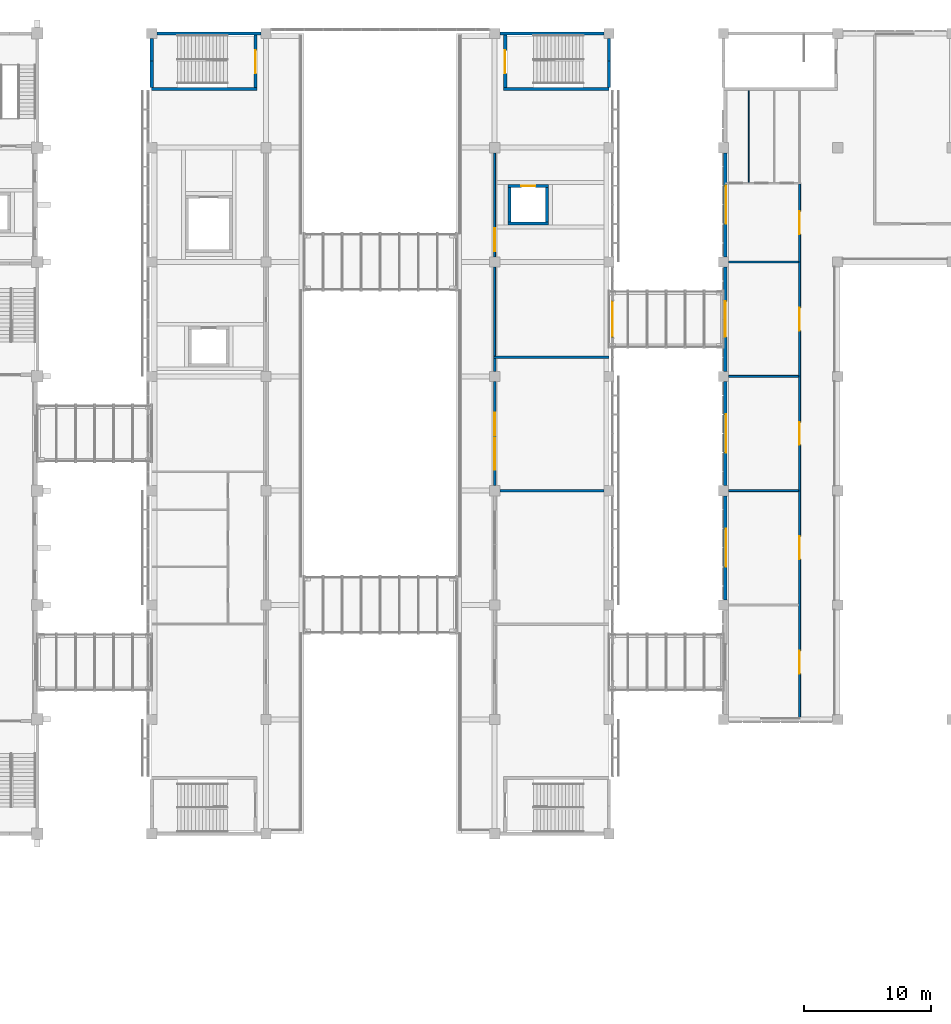
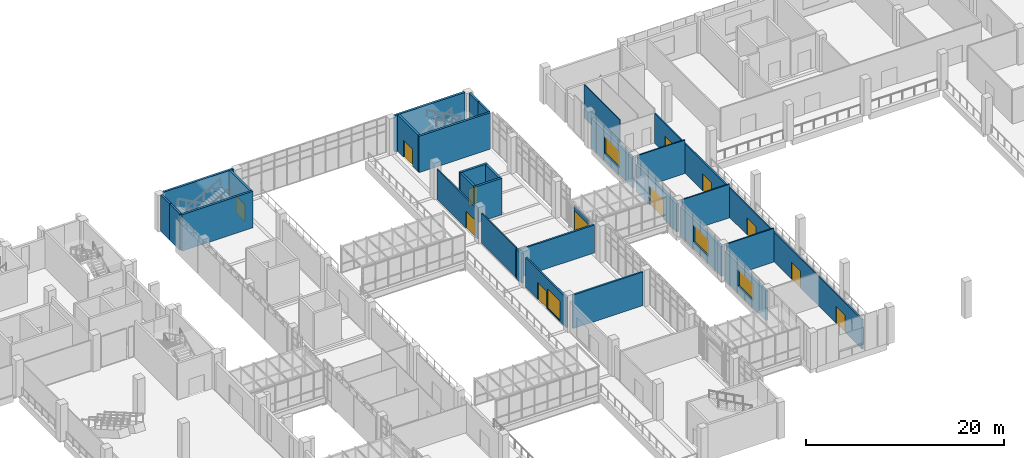
# One storey, part 62 of 88: 30 walls, 12 doors, 4 windows, 16 openings.
"""IFC4 building model written with IfcOpenShell, lengths in metres."""

from ifc_helpers import new_model, si_unit, direction, frame, frame_2d, origin, place, context, subcontext, project, spatial, rectangle, extrude, material, layer, layer_set, type_object, element, fill, save


model = new_model("IFC4")

# Units and contexts
model_context = context("Model", 3, precision=1e-05, world=origin(), true_north=direction((0.0, 1.0)))
body_context = subcontext(model_context, "Body", "Model", "MODEL_VIEW")
ifc_project = project(units=[si_unit("LENGTHUNIT", "METRE"), si_unit("AREAUNIT", "SQUARE_METRE"), si_unit("VOLUMEUNIT", "CUBIC_METRE"), si_unit("PLANEANGLEUNIT", "RADIAN"), si_unit("MASSUNIT", "GRAM", prefix="KILO")], contexts=[model_context])

# Site, building, storey
site_placement = place(None, origin())
site = spatial("IfcSite", under=ifc_project, at=site_placement, CompositionType="ELEMENT")
building_placement = place(site_placement, origin())
building = spatial("IfcBuilding", under=site, at=building_placement, Name="Guidao Yard Department Store", CompositionType="ELEMENT")
storey_placement = place(building_placement, frame((0.0, 0.0, 6.0)))
storey = spatial("IfcBuildingStorey", under=building, at=storey_placement, Name="L01", CompositionType="ELEMENT", Elevation=6.0)

# Wall
ifc_material_1 = material(Name="Moisture-resistant board on Steel Q235 studs", Category="steel")
ifc_layer_1 = layer(ifc_material_1, 0.080078125)
ifc_layer_set_1 = layer_set([ifc_layer_1], Name="Cubicle Partition F6 80 mm moisture-resistant board")
wall_type_1 = type_object("IfcWallType", Name="Cubicle Partition F6 80 mm moisture-resistant board", PredefinedType="PARTITIONING", material=ifc_layer_set_1)
wall_1_placement = place(storey_placement, frame((119.0, 96.239990234375, 0.0), z_axis=(0.0, 0.0, 1.0), x_axis=(0.0, 1.0, 0.0)))
element("IfcWall", 1, at=wall_1_placement, inside=storey, type_object=wall_type_1, Name="Wall W-L01-3026", PredefinedType="PARTITIONING", context=body_context, shape_type="SweptSolid", body=[
    extrude(rectangle(XDim=7.260009765625, YDim=0.080078125, at=frame_2d((3.6298828125, 0.0))), origin(), (0.0, 0.0, 1.0), 4.14990234375),
])

# Wall, opening, window
ifc_material_2 = material(Name="Concrete C30", Category="concrete")
ifc_layer_2 = layer(ifc_material_2, 0.300048828125)
ifc_layer_set_2 = layer_set([ifc_layer_2], Name="Food hall wall 300 C30")
wall_type_2 = type_object("IfcWallType", Name="Food hall wall 300 C30", PredefinedType="SOLIDWALL", material=ifc_layer_set_2)
wall_2_placement = place(storey_placement, frame((117.14990234375, 63.39990234375, 0.0), z_axis=(0.0, 0.0, 1.0), x_axis=(0.0, 1.0, 0.0)))
wall_2 = element("IfcWall", 2, at=wall_2_placement, inside=storey, type_object=wall_type_2, Name="Food hall wall", PredefinedType="SOLIDWALL", context=body_context, shape_type="SweptSolid", body=[
    extrude(rectangle(XDim=8.2001953125, YDim=0.300048828125, at=frame_2d((4.10009765625, 0.0))), origin(), (0.0, 0.0, 1.0), 3.64990234375),
])
opening_1_placement = place(wall_2_placement, frame((2.60009765625, 0.0, 0.89990234375)))
opening_1 = element("IfcOpeningElement", 3, at=opening_1_placement, cuts=wall_2, Name="Opening WN-L01-E25", PredefinedType="OPENING", context=body_context, shape_type="SweptSolid", body=[
    extrude(rectangle(XDim=3.0, YDim=2.10009765625, at=frame_2d((1.5, 1.050048828125))), frame((0.0, 0.159912109375, 0.0), z_axis=(0.0, -1.0, 0.0), x_axis=(1.0, 0.0, 0.0)), (0.0, 0.0, 1.0), 0.320068359375),
])
ifc_material_3 = material(Name="Laminated glass in aluminium frame", Category="aluminium")
window_type_1 = type_object("IfcWindowType", Name="Punched window PW2 3000 x 2100 fixed", PartitioningType="SINGLE_PANEL", PredefinedType="WINDOW", material=ifc_material_3)
window_1_placement = place(opening_1_placement, origin())
window_1 = element("IfcWindow", 4, at=window_1_placement, inside=storey, type_object=window_type_1, Name="Punched window", OverallHeight=2.10009765625, OverallWidth=3.0, PartitioningType="SINGLE_PANEL", PredefinedType="WINDOW", context=body_context, shape_type="SweptSolid", body=[
    extrude(rectangle(XDim=3.0, YDim=2.10009765625, at=frame_2d((1.5, 1.050048828125))), frame((0.0, -0.030029296875, 0.0), z_axis=(0.0, -1.0, 0.0), x_axis=(1.0, 0.0, 0.0)), (0.0, 0.0, 1.0), 0.06005859375),
])
fill(opening_1, window_1)

wall_3_placement = place(storey_placement, frame((117.14990234375, 72.39990234375, 0.0), z_axis=(0.0, 0.0, 1.0), x_axis=(0.0, 1.0, 0.0)))
wall_3 = element("IfcWall", 5, at=wall_3_placement, inside=storey, type_object=wall_type_2, Name="Food hall wall", PredefinedType="SOLIDWALL", context=body_context, shape_type="SweptSolid", body=[
    extrude(rectangle(XDim=8.2001953125, YDim=0.300048828125, at=frame_2d((4.10009765625, 0.0))), origin(), (0.0, 0.0, 1.0), 3.64990234375),
])
opening_2_placement = place(wall_3_placement, frame((2.60009765625, 0.0, 0.89990234375)))
opening_2 = element("IfcOpeningElement", 6, at=opening_2_placement, cuts=wall_3, Name="Opening WN-L01-E26", PredefinedType="OPENING", context=body_context, shape_type="SweptSolid", body=[
    extrude(rectangle(XDim=3.0, YDim=2.10009765625, at=frame_2d((1.5, 1.050048828125))), frame((0.0, 0.159912109375, 0.0), z_axis=(0.0, -1.0, 0.0), x_axis=(1.0, 0.0, 0.0)), (0.0, 0.0, 1.0), 0.320068359375),
])
window_2_placement = place(opening_2_placement, origin())
window_2 = element("IfcWindow", 7, at=window_2_placement, inside=storey, type_object=window_type_1, Name="Punched window", OverallHeight=2.10009765625, OverallWidth=3.0, PartitioningType="SINGLE_PANEL", PredefinedType="WINDOW", context=body_context, shape_type="SweptSolid", body=[
    extrude(rectangle(XDim=3.0, YDim=2.10009765625, at=frame_2d((1.5, 1.050048828125))), frame((0.0, -0.030029296875, 0.0), z_axis=(0.0, -1.0, 0.0), x_axis=(1.0, 0.0, 0.0)), (0.0, 0.0, 1.0), 0.06005859375),
])
fill(opening_2, window_2)

# Wall, opening, door
wall_4_placement = place(storey_placement, frame((117.14990234375, 81.39990234375, 0.0), z_axis=(0.0, 0.0, 1.0), x_axis=(0.0, 1.0, 0.0)))
wall_4 = element("IfcWall", 8, at=wall_4_placement, inside=storey, type_object=wall_type_2, Name="Food hall wall", PredefinedType="SOLIDWALL", context=body_context, shape_type="SweptSolid", body=[
    extrude(rectangle(XDim=8.2001953125, YDim=0.300048828125, at=frame_2d((4.10009765625, 0.0))), origin(), (0.0, 0.0, 1.0), 3.449951171875),
])
opening_3_placement = place(wall_4_placement, frame((2.699951171875, 0.0, 0.0)))
opening_3 = element("IfcOpeningElement", 9, at=opening_3_placement, cuts=wall_4, Name="Opening L01-857", PredefinedType="OPENING", context=body_context, shape_type="SweptSolid", body=[
    extrude(rectangle(XDim=2.800048828125, YDim=2.39990234375, at=frame_2d((1.39990234375, 1.199951171875))), frame((0.0, 0.159912109375, 0.0), z_axis=(0.0, -1.0, 0.0), x_axis=(1.0, 0.0, 0.0)), (0.0, 0.0, 1.0), 0.320068359375),
])
ifc_material_4 = material(Name="Fire-resistant glass in steel frame", Category="steel")
door_type_1 = type_object("IfcDoorType", Name="Bridge door BD1 2800 x 2400 fire-rated glazed double leaf", OperationType="DOUBLE_DOOR_SINGLE_SWING", PredefinedType="DOOR", material=ifc_material_4)
door_1_placement = place(opening_3_placement, origin())
door_1 = element("IfcDoor", 10, at=door_1_placement, inside=storey, type_object=door_type_1, Name="Bridge door BR07", OperationType="DOUBLE_DOOR_SINGLE_SWING", OverallHeight=2.39990234375, OverallWidth=2.800048828125, PredefinedType="DOOR", context=body_context, shape_type="SweptSolid", body=[
    extrude(rectangle(XDim=2.800048828125, YDim=2.39990234375, at=frame_2d((1.39990234375, 1.199951171875))), frame((0.0, 0.02490234375, 0.0), z_axis=(0.0, -1.0, 0.0), x_axis=(1.0, 0.0, 0.0)), (0.0, 0.0, 1.0), 0.050048828125),
])
fill(opening_3, door_1)

# Wall, opening, window
wall_5_placement = place(storey_placement, frame((117.14990234375, 90.39990234375, 0.0), z_axis=(0.0, 0.0, 1.0), x_axis=(0.0, 1.0, 0.0)))
wall_5 = element("IfcWall", 11, at=wall_5_placement, inside=storey, type_object=wall_type_2, Name="Food hall wall", PredefinedType="SOLIDWALL", context=body_context, shape_type="SweptSolid", body=[
    extrude(rectangle(XDim=8.2001953125, YDim=0.300048828125, at=frame_2d((4.10009765625, 0.0))), origin(), (0.0, 0.0, 1.0), 3.64990234375),
])
opening_4_placement = place(wall_5_placement, frame((2.60009765625, 0.0, 0.89990234375)))
opening_4 = element("IfcOpeningElement", 12, at=opening_4_placement, cuts=wall_5, Name="Opening WN-L01-E27", PredefinedType="OPENING", context=body_context, shape_type="SweptSolid", body=[
    extrude(rectangle(XDim=3.0, YDim=2.10009765625, at=frame_2d((1.5, 1.050048828125))), frame((0.0, 0.159912109375, 0.0), z_axis=(0.0, -1.0, 0.0), x_axis=(1.0, 0.0, 0.0)), (0.0, 0.0, 1.0), 0.320068359375),
])
window_3_placement = place(opening_4_placement, origin())
window_3 = element("IfcWindow", 13, at=window_3_placement, inside=storey, type_object=window_type_1, Name="Punched window", OverallHeight=2.10009765625, OverallWidth=3.0, PartitioningType="SINGLE_PANEL", PredefinedType="WINDOW", context=body_context, shape_type="SweptSolid", body=[
    extrude(rectangle(XDim=3.0, YDim=2.10009765625, at=frame_2d((1.5, 1.050048828125))), frame((0.0, -0.030029296875, 0.0), z_axis=(0.0, -1.0, 0.0), x_axis=(1.0, 0.0, 0.0)), (0.0, 0.0, 1.0), 0.06005859375),
])
fill(opening_4, window_3)

# Wall, opening, door
ifc_material_5 = material(Name="Aluminium 6063-T5", Category="aluminium")
ifc_layer_3 = layer(ifc_material_5, 0.1201171875)
ifc_layer_set_3 = layer_set([ifc_layer_3], Name="Glazing frame wall 120")
wall_type_3 = type_object("IfcWallType", Name="Glazing frame wall 120", PredefinedType="STANDARD", material=ifc_layer_set_3)
wall_6_placement = place(storey_placement, frame((108.280029296875, 86.969970703125, 0.0), z_axis=(0.0, 0.0, 1.0), x_axis=(0.0, -1.0, 0.0)))
wall_6 = element("IfcWall", 14, at=wall_6_placement, inside=storey, type_object=wall_type_3, Name="Frame wall for Bridge door BR07", PredefinedType="STANDARD", context=body_context, shape_type="SweptSolid", body=[
    extrude(rectangle(XDim=2.93994140625, YDim=0.1201171875, at=frame_2d((1.469970703125, 0.0))), origin(), (0.0, 0.0, 1.0), 2.969970703125),
])
opening_5_placement = place(wall_6_placement, frame((0.070068359375, 0.0, 0.0)))
opening_5 = element("IfcOpeningElement", 15, at=opening_5_placement, cuts=wall_6, Name="Opening L01-855", PredefinedType="OPENING", context=body_context, shape_type="SweptSolid", body=[
    extrude(rectangle(XDim=2.800048828125, YDim=2.39990234375, at=frame_2d((1.39990234375, 1.199951171875))), frame((0.0, 0.070068359375, 0.0), z_axis=(0.0, -1.0, 0.0), x_axis=(1.0, 0.0, 0.0)), (0.0, 0.0, 1.0), 0.14013671875),
])
door_2_placement = place(opening_5_placement, origin())
door_2 = element("IfcDoor", 16, at=door_2_placement, inside=storey, type_object=door_type_1, Name="Bridge door BR07", OperationType="DOUBLE_DOOR_SINGLE_SWING", OverallHeight=2.39990234375, OverallWidth=2.800048828125, PredefinedType="DOOR", context=body_context, shape_type="SweptSolid", body=[
    extrude(rectangle(XDim=2.800048828125, YDim=2.39990234375, at=frame_2d((1.39990234375, 1.199951171875))), frame((0.0, 0.02490234375, 0.0), z_axis=(0.0, -1.0, 0.0), x_axis=(1.0, 0.0, 0.0)), (0.0, 0.0, 1.0), 0.050048828125),
])
fill(opening_5, door_2)

# Wall
ifc_material_6 = material(Name="Concrete block MU10", Category="concrete")
ifc_layer_4 = layer(ifc_material_6, 0.199951171875)
ifc_layer_set_4 = layer_set([ifc_layer_4], Name="Shopfront Wall P4 200 mm blockwork EI 60")
wall_type_4 = type_object("IfcWallType", Name="Shopfront Wall P4 200 mm blockwork EI 60", PredefinedType="PARTITIONING", material=ifc_layer_set_4)
wall_7_placement = place(storey_placement, frame((99.39990234375, 72.0, 0.0), z_axis=(0.0, 0.0, 1.0), x_axis=(1.0, 0.0, 0.0)))
element("IfcWall", 17, at=wall_7_placement, inside=storey, type_object=wall_type_4, Name="Wall W-AL01-012", PredefinedType="PARTITIONING", context=body_context, shape_type="SweptSolid", body=[
    extrude(rectangle(XDim=8.2001953125, YDim=0.199951171875, at=frame_2d((4.10009765625, 0.0))), origin(), (0.0, 0.0, 1.0), 4.14990234375),
])

# Wall, openings, door, window
wall_8_placement = place(storey_placement, frame((99.0, 72.39990234375, 0.0), z_axis=(0.0, 0.0, 1.0), x_axis=(0.0, 1.0, 0.0)))
wall_8 = element("IfcWall", 18, at=wall_8_placement, inside=storey, type_object=wall_type_4, Name="Wall W-AL01-014", PredefinedType="PARTITIONING", context=body_context, shape_type="SweptSolid", body=[
    extrude(rectangle(XDim=8.2001953125, YDim=0.199951171875, at=frame_2d((4.10009765625, 0.0))), origin(), (0.0, 0.0, 1.0), 3.699951171875),
])
opening_6_placement = place(wall_8_placement, frame((5.75, 0.0, 0.0), z_axis=(0.0, 0.0, 1.0), x_axis=(-1.0, 0.0, 0.0)))
opening_6 = element("IfcOpeningElement", 19, at=opening_6_placement, cuts=wall_8, Name="Opening AL01-008", PredefinedType="OPENING", context=body_context, shape_type="SweptSolid", body=[
    extrude(rectangle(XDim=1.800048828125, YDim=2.10009765625, at=frame_2d((0.89990234375, 1.050048828125))), frame((0.0, 0.10986328125, 0.0), z_axis=(0.0, -1.0, 0.0), x_axis=(1.0, 0.0, 0.0)), (0.0, 0.0, 1.0), 0.219970703125),
])
opening_7_placement = place(wall_8_placement, frame((1.25, 0.0, 0.14990234375)))
opening_7 = element("IfcOpeningElement", 20, at=opening_7_placement, cuts=wall_8, Name="Opening WN-AL01-302", PredefinedType="OPENING", context=body_context, shape_type="SweptSolid", body=[
    extrude(rectangle(XDim=2.5, YDim=2.39990234375, at=frame_2d((1.25, 1.199951171875))), frame((0.0, 0.10986328125, 0.0), z_axis=(0.0, -1.0, 0.0), x_axis=(1.0, 0.0, 0.0)), (0.0, 0.0, 1.0), 0.219970703125),
])
ifc_material_7 = material(Name="Steel Q235", Category="steel")
door_type_2 = type_object("IfcDoorType", Name="Door FD5 double 1800 x 2100 FD60", OperationType="DOUBLE_DOOR_SINGLE_SWING", PredefinedType="DOOR", material=ifc_material_7)
door_3_placement = place(opening_6_placement, origin())
door_3 = element("IfcDoor", 21, at=door_3_placement, inside=storey, type_object=door_type_2, Name="Door AL01-008", OperationType="DOUBLE_DOOR_SINGLE_SWING", OverallHeight=2.10009765625, OverallWidth=1.800048828125, PredefinedType="DOOR", context=body_context, shape_type="SweptSolid", body=[
    extrude(rectangle(XDim=1.800048828125, YDim=2.10009765625, at=frame_2d((0.89990234375, 1.050048828125))), frame((0.0, 0.02490234375, 0.0), z_axis=(0.0, -1.0, 0.0), x_axis=(1.0, 0.0, 0.0)), (0.0, 0.0, 1.0), 0.050048828125),
])
fill(opening_6, door_3)
ifc_material_8 = material(Name="Fire-rated glazing in Steel Q235 frame", Category="steel")
window_type_2 = type_object("IfcWindowType", Name="Window WN1 fire-glazed shop panel 2500 x 2400 EI 60", PartitioningType="SINGLE_PANEL", PredefinedType="WINDOW", material=ifc_material_8)
window_4_placement = place(opening_7_placement, origin())
window_4 = element("IfcWindow", 22, at=window_4_placement, inside=storey, type_object=window_type_2, Name="Window WN-AL01-302", OverallHeight=2.39990234375, OverallWidth=2.5, PartitioningType="SINGLE_PANEL", PredefinedType="WINDOW", context=body_context, shape_type="SweptSolid", body=[
    extrude(rectangle(XDim=2.5, YDim=2.39990234375, at=frame_2d((1.25, 1.199951171875))), frame((0.0, 0.030029296875, 0.0), z_axis=(0.0, -1.0, 0.0), x_axis=(1.0, 0.0, 0.0)), (0.0, 0.0, 1.0), 0.06005859375),
])
fill(opening_7, window_4)

# Walls
wall_9_placement = place(storey_placement, frame((99.0, 81.39990234375, 0.0), z_axis=(0.0, 0.0, 1.0), x_axis=(0.0, 1.0, 0.0)))
element("IfcWall", 23, at=wall_9_placement, inside=storey, type_object=wall_type_4, Name="Wall W-AL01-018", PredefinedType="PARTITIONING", context=body_context, shape_type="SweptSolid", body=[
    extrude(rectangle(XDim=1.0, YDim=0.199951171875, at=frame_2d((0.5, 0.0))), origin(), (0.0, 0.0, 1.0), 3.699951171875),
])
wall_10_placement = place(storey_placement, frame((98.89990234375, 82.5, 0.0), z_axis=(0.0, 0.0, 1.0), x_axis=(1.0, 0.0, 0.0)))
element("IfcWall", 24, at=wall_10_placement, inside=storey, type_object=wall_type_4, Name="Wall W-AL01-019", PredefinedType="PARTITIONING", context=body_context, shape_type="SweptSolid", body=[
    extrude(rectangle(XDim=9.10009765625, YDim=0.199951171875, at=frame_2d((4.550048828125, 0.0))), origin(), (0.0, 0.0, 1.0), 3.449951171875),
])

# Wall, openings, doors
ifc_material_9 = material(Name="Concrete block MU10", Category="concrete")
ifc_layer_5 = layer(ifc_material_9, 0.14990234375)
ifc_layer_set_5 = layer_set([ifc_layer_5], Name="Stall Front Wall F4 150 mm blockwork EI 60")
wall_type_5 = type_object("IfcWallType", Name="Stall Front Wall F4 150 mm blockwork EI 60", PredefinedType="PARTITIONING", material=ifc_layer_set_5)
wall_11_placement = place(storey_placement, frame((123.0, 54.14990234375, 0.0), z_axis=(0.0, 0.0, 1.0), x_axis=(0.0, 1.0, 0.0)))
wall_11 = element("IfcWall", 25, at=wall_11_placement, inside=storey, type_object=wall_type_5, Name="Wall W-L01-3001", PredefinedType="PARTITIONING", context=body_context, shape_type="SweptSolid", body=[
    extrude(rectangle(XDim=42.010009765625, YDim=0.14990234375, at=frame_2d((21.0048828125, 0.0))), origin(), (0.0, 0.0, 1.0), 3.64990234375),
])
opening_8_placement = place(wall_11_placement, frame((3.449951171875, 0.0, 0.0)))
opening_8 = element("IfcOpeningElement", 26, at=opening_8_placement, cuts=wall_11, Name="Opening L01-301", PredefinedType="OPENING", context=body_context, shape_type="SweptSolid", body=[
    extrude(rectangle(XDim=1.800048828125, YDim=2.10009765625, at=frame_2d((0.89990234375, 1.050048828125))), frame((0.0, 0.0849609375, 0.0), z_axis=(0.0, -1.0, 0.0), x_axis=(1.0, 0.0, 0.0)), (0.0, 0.0, 1.0), 0.169921875),
])
opening_9_placement = place(wall_11_placement, frame((12.449951171875, 0.0, 0.0)))
opening_9 = element("IfcOpeningElement", 27, at=opening_9_placement, cuts=wall_11, Name="Opening L01-303", PredefinedType="OPENING", context=body_context, shape_type="SweptSolid", body=[
    extrude(rectangle(XDim=1.800048828125, YDim=2.10009765625, at=frame_2d((0.89990234375, 1.050048828125))), frame((0.0, 0.0849609375, 0.0), z_axis=(0.0, -1.0, 0.0), x_axis=(1.0, 0.0, 0.0)), (0.0, 0.0, 1.0), 0.169921875),
])
opening_10_placement = place(wall_11_placement, frame((21.449951171875, 0.0, 0.0)))
opening_10 = element("IfcOpeningElement", 28, at=opening_10_placement, cuts=wall_11, Name="Opening L01-305", PredefinedType="OPENING", context=body_context, shape_type="SweptSolid", body=[
    extrude(rectangle(XDim=1.800048828125, YDim=2.10009765625, at=frame_2d((0.89990234375, 1.050048828125))), frame((0.0, 0.0849609375, 0.0), z_axis=(0.0, -1.0, 0.0), x_axis=(1.0, 0.0, 0.0)), (0.0, 0.0, 1.0), 0.169921875),
])
opening_11_placement = place(wall_11_placement, frame((30.449951171875, 0.0, 0.0)))
opening_11 = element("IfcOpeningElement", 29, at=opening_11_placement, cuts=wall_11, Name="Opening L01-307", PredefinedType="OPENING", context=body_context, shape_type="SweptSolid", body=[
    extrude(rectangle(XDim=1.800048828125, YDim=2.10009765625, at=frame_2d((0.89990234375, 1.050048828125))), frame((0.0, 0.0849609375, 0.0), z_axis=(0.0, -1.0, 0.0), x_axis=(1.0, 0.0, 0.0)), (0.0, 0.0, 1.0), 0.169921875),
])
opening_12_placement = place(wall_11_placement, frame((38.050048828125, 0.0, 0.0)))
opening_12 = element("IfcOpeningElement", 30, at=opening_12_placement, cuts=wall_11, Name="Opening L01-313", PredefinedType="OPENING", context=body_context, shape_type="SweptSolid", body=[
    extrude(rectangle(XDim=1.800048828125, YDim=2.10009765625, at=frame_2d((0.89990234375, 1.050048828125))), frame((0.0, 0.0849609375, 0.0), z_axis=(0.0, -1.0, 0.0), x_axis=(1.0, 0.0, 0.0)), (0.0, 0.0, 1.0), 0.169921875),
])
ifc_material_10 = material(Name="Steel Q235", Category="steel")
door_type_3 = type_object("IfcDoorType", Name="Door FF3 double 1800 x 2100 FD90", OperationType="DOUBLE_DOOR_SINGLE_SWING", PredefinedType="DOOR", material=ifc_material_10)
door_4_placement = place(opening_8_placement, origin())
door_4 = element("IfcDoor", 31, at=door_4_placement, inside=storey, type_object=door_type_3, Name="Door L01-301", OperationType="DOUBLE_DOOR_SINGLE_SWING", OverallHeight=2.10009765625, OverallWidth=1.800048828125, PredefinedType="DOOR", context=body_context, shape_type="SweptSolid", body=[
    extrude(rectangle(XDim=1.800048828125, YDim=2.10009765625, at=frame_2d((0.89990234375, 1.050048828125))), frame((0.0, 0.02490234375, 0.0), z_axis=(0.0, -1.0, 0.0), x_axis=(1.0, 0.0, 0.0)), (0.0, 0.0, 1.0), 0.050048828125),
])
fill(opening_8, door_4)
door_5_placement = place(opening_11_placement, origin())
door_5 = element("IfcDoor", 32, at=door_5_placement, inside=storey, type_object=door_type_3, Name="Door L01-307", OperationType="DOUBLE_DOOR_SINGLE_SWING", OverallHeight=2.10009765625, OverallWidth=1.800048828125, PredefinedType="DOOR", context=body_context, shape_type="SweptSolid", body=[
    extrude(rectangle(XDim=1.800048828125, YDim=2.10009765625, at=frame_2d((0.89990234375, 1.050048828125))), frame((0.0, 0.02490234375, 0.0), z_axis=(0.0, -1.0, 0.0), x_axis=(1.0, 0.0, 0.0)), (0.0, 0.0, 1.0), 0.050048828125),
])
fill(opening_11, door_5)
ifc_material_11 = material(Name="Timber door leaf", Category="wood")
door_type_4 = type_object("IfcDoorType", Name="Door FN2 double 1800 x 2100", OperationType="DOUBLE_DOOR_SINGLE_SWING", PredefinedType="DOOR", material=ifc_material_11)
door_6_placement = place(opening_9_placement, origin())
door_6 = element("IfcDoor", 33, at=door_6_placement, inside=storey, type_object=door_type_4, Name="Door L01-303", OperationType="DOUBLE_DOOR_SINGLE_SWING", OverallHeight=2.10009765625, OverallWidth=1.800048828125, PredefinedType="DOOR", context=body_context, shape_type="SweptSolid", body=[
    extrude(rectangle(XDim=1.800048828125, YDim=2.10009765625, at=frame_2d((0.89990234375, 1.050048828125))), frame((0.0, 0.02490234375, 0.0), z_axis=(0.0, -1.0, 0.0), x_axis=(1.0, 0.0, 0.0)), (0.0, 0.0, 1.0), 0.050048828125),
])
fill(opening_9, door_6)
door_7_placement = place(opening_10_placement, origin())
door_7 = element("IfcDoor", 34, at=door_7_placement, inside=storey, type_object=door_type_4, Name="Door L01-305", OperationType="DOUBLE_DOOR_SINGLE_SWING", OverallHeight=2.10009765625, OverallWidth=1.800048828125, PredefinedType="DOOR", context=body_context, shape_type="SweptSolid", body=[
    extrude(rectangle(XDim=1.800048828125, YDim=2.10009765625, at=frame_2d((0.89990234375, 1.050048828125))), frame((0.0, 0.02490234375, 0.0), z_axis=(0.0, -1.0, 0.0), x_axis=(1.0, 0.0, 0.0)), (0.0, 0.0, 1.0), 0.050048828125),
])
fill(opening_10, door_7)
door_8_placement = place(opening_12_placement, origin())
door_8 = element("IfcDoor", 35, at=door_8_placement, inside=storey, type_object=door_type_4, Name="Door L01-313", OperationType="DOUBLE_DOOR_SINGLE_SWING", OverallHeight=2.10009765625, OverallWidth=1.800048828125, PredefinedType="DOOR", context=body_context, shape_type="SweptSolid", body=[
    extrude(rectangle(XDim=1.800048828125, YDim=2.10009765625, at=frame_2d((0.89990234375, 1.050048828125))), frame((0.0, 0.02490234375, 0.0), z_axis=(0.0, -1.0, 0.0), x_axis=(1.0, 0.0, 0.0)), (0.0, 0.0, 1.0), 0.050048828125),
])
fill(opening_12, door_8)

# Walls
ifc_material_12 = material(Name="Concrete block MU10", Category="concrete")
ifc_layer_6 = layer(ifc_material_12, 0.14990234375)
ifc_layer_set_6 = layer_set([ifc_layer_6], Name="Wall F2 150 mm blockwork EI 60")
wall_type_6 = type_object("IfcWallType", Name="Wall F2 150 mm blockwork EI 60", PredefinedType="PARTITIONING", material=ifc_layer_set_6)
for number, where, z_axis, x_axis, name in (
    (36, (117.39990234375, 72.0, 0.0), (0.0, 0.0, 1.0), (1.0, 0.0, 0.0), "Wall W-L01-3009"),
    (37, (117.39990234375, 81.0, 0.0), (0.0, 0.0, 1.0), (1.0, 0.0, 0.0), "Wall W-L01-3013"),
    (38, (117.39990234375, 90.0, 0.0), (0.0, 0.0, 1.0), (1.0, 0.0, 0.0), "Wall W-L01-3015"),
):
    element("IfcWall", number, at=place(storey_placement, frame(where, z_axis=z_axis, x_axis=x_axis)), inside=storey, type_object=wall_type_6, Name=name, PredefinedType="PARTITIONING", context=body_context, shape_type="SweptSolid", body=[
        extrude(rectangle(XDim=5.525146484375, YDim=0.14990234375, at=frame_2d((2.7626953125, 0.0))), origin(), (0.0, 0.0, 1.0), 4.14990234375),
    ])
ifc_material_13 = material(Name="Concrete block MU10", Category="concrete")
ifc_layer_7 = layer(ifc_material_13, 0.14990234375)
ifc_layer_set_7 = layer_set([ifc_layer_7], Name="Wall P2 150 mm blockwork EI 60")
wall_type_7 = type_object("IfcWallType", Name="Wall P2 150 mm blockwork EI 60", PredefinedType="PARTITIONING", material=ifc_layer_set_7)
wall_12_placement = place(storey_placement, frame((99.0, 82.60009765625, 0.0), z_axis=(0.0, 0.0, 1.0), x_axis=(0.0, 1.0, 0.0)))
element("IfcWall", 39, at=wall_12_placement, inside=storey, type_object=wall_type_7, Name="Wall W-AL01-020", PredefinedType="PARTITIONING", context=body_context, shape_type="SweptSolid", body=[
    extrude(rectangle(XDim=7.0, YDim=0.14990234375, at=frame_2d((3.5, 0.0))), origin(), (0.0, 0.0, 1.0), 3.699951171875),
])

# Wall, opening, door
wall_13_placement = place(storey_placement, frame((99.0, 90.39990234375, 0.0), z_axis=(0.0, 0.0, 1.0), x_axis=(0.0, 1.0, 0.0)))
wall_13 = element("IfcWall", 40, at=wall_13_placement, inside=storey, type_object=wall_type_7, Name="Wall W-AL01-022", PredefinedType="PARTITIONING", context=body_context, shape_type="SweptSolid", body=[
    extrude(rectangle(XDim=8.2001953125, YDim=0.14990234375, at=frame_2d((4.10009765625, 0.0))), origin(), (0.0, 0.0, 1.0), 3.699951171875),
])
opening_13_placement = place(wall_13_placement, frame((2.25, 0.0, 0.0), z_axis=(0.0, 0.0, 1.0), x_axis=(-1.0, 0.0, 0.0)))
opening_13 = element("IfcOpeningElement", 41, at=opening_13_placement, cuts=wall_13, Name="Opening AL01-010", PredefinedType="OPENING", context=body_context, shape_type="SweptSolid", body=[
    extrude(rectangle(XDim=1.800048828125, YDim=2.10009765625, at=frame_2d((0.89990234375, 1.050048828125))), frame((0.0, 0.0849609375, 0.0), z_axis=(0.0, -1.0, 0.0), x_axis=(1.0, 0.0, 0.0)), (0.0, 0.0, 1.0), 0.169921875),
])
door_9_placement = place(opening_13_placement, origin())
door_9 = element("IfcDoor", 42, at=door_9_placement, inside=storey, type_object=door_type_2, Name="Door AL01-010", OperationType="DOUBLE_DOOR_SINGLE_SWING", OverallHeight=2.10009765625, OverallWidth=1.800048828125, PredefinedType="DOOR", context=body_context, shape_type="SweptSolid", body=[
    extrude(rectangle(XDim=1.800048828125, YDim=2.10009765625, at=frame_2d((0.89990234375, 1.050048828125))), frame((0.0, 0.02490234375, 0.0), z_axis=(0.0, -1.0, 0.0), x_axis=(1.0, 0.0, 0.0)), (0.0, 0.0, 1.0), 0.050048828125),
])
fill(opening_13, door_9)

# Walls
ifc_material_14 = material(Name="Concrete C40", Category="concrete")
ifc_layer_8 = layer(ifc_material_14, 0.25)
ifc_layer_set_8 = layer_set([ifc_layer_8], Name="Wall RC 250 C40 stair and shaft")
wall_type_8 = type_object("IfcWallType", Name="Wall RC 250 C40 stair and shaft", PredefinedType="SHEAR", material=ifc_layer_set_8)
wall_14_placement = place(storey_placement, frame((72.0, 103.625, 0.0), z_axis=(0.0, 0.0, 1.0), x_axis=(1.0, 0.0, 0.0)))
element("IfcWall", 43, at=wall_14_placement, inside=storey, type_object=wall_type_8, Name="Stair wall SG2", PredefinedType="SHEAR", context=body_context, shape_type="SweptSolid", body=[
    extrude(rectangle(XDim=8.300048828125, YDim=0.25, at=frame_2d((4.14990234375, 0.0))), origin(), (0.0, 0.0, 1.0), 4.5),
])
wall_15_placement = place(storey_placement, frame((72.39990234375, 108.0, 0.0), z_axis=(0.0, 0.0, 1.0), x_axis=(1.0, 0.0, 0.0)))
element("IfcWall", 44, at=wall_15_placement, inside=storey, type_object=wall_type_8, Name="Stair wall SG2", PredefinedType="SHEAR", context=body_context, shape_type="SweptSolid", body=[
    extrude(rectangle(XDim=8.2001953125, YDim=0.25, at=frame_2d((4.10009765625, 0.0))), origin(), (0.0, 0.0, 1.0), 4.5),
])
wall_16_placement = place(storey_placement, frame((72.0, 103.75, 0.0), z_axis=(0.0, 0.0, 1.0), x_axis=(0.0, 1.0, 0.0)))
element("IfcWall", 45, at=wall_16_placement, inside=storey, type_object=wall_type_8, Name="Stair wall SG2", PredefinedType="SHEAR", context=body_context, shape_type="SweptSolid", body=[
    extrude(rectangle(XDim=2.06201171875, YDim=0.25, at=frame_2d((1.031005859375, 0.0))), origin(), (0.0, 0.0, 1.0), 4.5),
])
wall_17_placement = place(storey_placement, frame((72.0, 105.81201171875, 0.0), z_axis=(0.0, 0.0, 1.0), x_axis=(0.0, 1.0, 0.0)))
element("IfcWall", 46, at=wall_17_placement, inside=storey, type_object=wall_type_8, Name="Stair wall SG2", PredefinedType="SHEAR", context=body_context, shape_type="SweptSolid", body=[
    extrude(rectangle(XDim=1.7880859375, YDim=0.25, at=frame_2d((0.89404296875, 0.0))), origin(), (0.0, 0.0, 1.0), 4.5),
])

# Wall, opening, door
wall_18_placement = place(storey_placement, frame((80.175048828125, 103.75, 0.0), z_axis=(0.0, 0.0, 1.0), x_axis=(0.0, 1.0, 0.0)))
wall_18 = element("IfcWall", 47, at=wall_18_placement, inside=storey, type_object=wall_type_8, Name="Stair wall SG2", PredefinedType="SHEAR", context=body_context, shape_type="SweptSolid", body=[
    extrude(rectangle(XDim=4.125, YDim=0.25, at=frame_2d((2.0625, 0.0))), origin(), (0.0, 0.0, 1.0), 4.5),
])
opening_14_placement = place(wall_18_placement, frame((2.900146484375, 0.0, 0.0), z_axis=(0.0, 0.0, 1.0), x_axis=(-1.0, 0.0, 0.0)))
opening_14 = element("IfcOpeningElement", 48, at=opening_14_placement, cuts=wall_18, Name="Opening L01-812", PredefinedType="OPENING", context=body_context, shape_type="SweptSolid", body=[
    extrude(rectangle(XDim=1.800048828125, YDim=2.10009765625, at=frame_2d((0.89990234375, 1.050048828125))), frame((0.0, 0.135009765625, 0.0), z_axis=(0.0, -1.0, 0.0), x_axis=(1.0, 0.0, 0.0)), (0.0, 0.0, 1.0), 0.27001953125),
])
ifc_material_15 = material(Name="Steel Q235", Category="steel")
door_type_5 = type_object("IfcDoorType", Name="Door fire-resisting 1800 x 2100 FD60", OperationType="DOUBLE_DOOR_SINGLE_SWING", PredefinedType="DOOR", material=ifc_material_15)
door_10_placement = place(opening_14_placement, origin())
door_10 = element("IfcDoor", 49, at=door_10_placement, inside=storey, type_object=door_type_5, Name="Stair G2 door L01", OperationType="DOUBLE_DOOR_SINGLE_SWING", OverallHeight=2.10009765625, OverallWidth=1.800048828125, PredefinedType="DOOR", context=body_context, shape_type="SweptSolid", body=[
    extrude(rectangle(XDim=1.800048828125, YDim=2.10009765625, at=frame_2d((0.89990234375, 1.050048828125))), frame((0.0, 0.02490234375, 0.0), z_axis=(0.0, -1.0, 0.0), x_axis=(1.0, 0.0, 0.0)), (0.0, 0.0, 1.0), 0.050048828125),
])
fill(opening_14, door_10)

# Walls
wall_19_placement = place(storey_placement, frame((99.699951171875, 103.625, 0.0), z_axis=(0.0, 0.0, 1.0), x_axis=(1.0, 0.0, 0.0)))
element("IfcWall", 50, at=wall_19_placement, inside=storey, type_object=wall_type_8, Name="Stair wall SG4", PredefinedType="SHEAR", context=body_context, shape_type="SweptSolid", body=[
    extrude(rectangle(XDim=8.300048828125, YDim=0.25, at=frame_2d((4.14990234375, 0.0))), origin(), (0.0, 0.0, 1.0), 4.5),
])
wall_20_placement = place(storey_placement, frame((99.39990234375, 108.0, 0.0), z_axis=(0.0, 0.0, 1.0), x_axis=(1.0, 0.0, 0.0)))
element("IfcWall", 51, at=wall_20_placement, inside=storey, type_object=wall_type_8, Name="Stair wall SG4", PredefinedType="SHEAR", context=body_context, shape_type="SweptSolid", body=[
    extrude(rectangle(XDim=8.2001953125, YDim=0.25, at=frame_2d((4.10009765625, 0.0))), origin(), (0.0, 0.0, 1.0), 4.5),
])

# Wall, opening, door
wall_21_placement = place(storey_placement, frame((99.824951171875, 103.75, 0.0), z_axis=(0.0, 0.0, 1.0), x_axis=(0.0, 1.0, 0.0)))
wall_21 = element("IfcWall", 52, at=wall_21_placement, inside=storey, type_object=wall_type_8, Name="Stair wall SG4", PredefinedType="SHEAR", context=body_context, shape_type="SweptSolid", body=[
    extrude(rectangle(XDim=4.125, YDim=0.25, at=frame_2d((2.0625, 0.0))), origin(), (0.0, 0.0, 1.0), 4.5),
])
opening_15_placement = place(wall_21_placement, frame((1.10009765625, 0.0, 0.0)))
opening_15 = element("IfcOpeningElement", 53, at=opening_15_placement, cuts=wall_21, Name="Opening L01-814", PredefinedType="OPENING", context=body_context, shape_type="SweptSolid", body=[
    extrude(rectangle(XDim=1.800048828125, YDim=2.10009765625, at=frame_2d((0.89990234375, 1.050048828125))), frame((0.0, 0.135009765625, 0.0), z_axis=(0.0, -1.0, 0.0), x_axis=(1.0, 0.0, 0.0)), (0.0, 0.0, 1.0), 0.27001953125),
])
door_11_placement = place(opening_15_placement, origin())
door_11 = element("IfcDoor", 54, at=door_11_placement, inside=storey, type_object=door_type_5, Name="Stair G4 door L01", OperationType="DOUBLE_DOOR_SINGLE_SWING", OverallHeight=2.10009765625, OverallWidth=1.800048828125, PredefinedType="DOOR", context=body_context, shape_type="SweptSolid", body=[
    extrude(rectangle(XDim=1.800048828125, YDim=2.10009765625, at=frame_2d((0.89990234375, 1.050048828125))), frame((0.0, 0.02490234375, 0.0), z_axis=(0.0, -1.0, 0.0), x_axis=(1.0, 0.0, 0.0)), (0.0, 0.0, 1.0), 0.050048828125),
])
fill(opening_15, door_11)

# Walls
wall_22_placement = place(storey_placement, frame((108.0, 103.75, 0.0), z_axis=(0.0, 0.0, 1.0), x_axis=(0.0, 1.0, 0.0)))
element("IfcWall", 55, at=wall_22_placement, inside=storey, type_object=wall_type_8, Name="Stair wall SG4", PredefinedType="SHEAR", context=body_context, shape_type="SweptSolid", body=[
    extrude(rectangle(XDim=2.06201171875, YDim=0.25, at=frame_2d((1.031005859375, 0.0))), origin(), (0.0, 0.0, 1.0), 4.5),
])
wall_23_placement = place(storey_placement, frame((108.0, 105.81201171875, 0.0), z_axis=(0.0, 0.0, 1.0), x_axis=(0.0, 1.0, 0.0)))
element("IfcWall", 56, at=wall_23_placement, inside=storey, type_object=wall_type_8, Name="Stair wall SG4", PredefinedType="SHEAR", context=body_context, shape_type="SweptSolid", body=[
    extrude(rectangle(XDim=1.7880859375, YDim=0.25, at=frame_2d((0.89404296875, 0.0))), origin(), (0.0, 0.0, 1.0), 4.5),
])

# Wall, opening, door
wall_24_placement = place(storey_placement, frame((100.050048828125, 95.97509765625, 0.0), z_axis=(0.0, 0.0, 1.0), x_axis=(1.0, 0.0, 0.0)))
wall_24 = element("IfcWall", 57, at=wall_24_placement, inside=storey, type_object=wall_type_8, Name="Lift shaft wall GL2", PredefinedType="SHEAR", context=body_context, shape_type="SweptSolid", body=[
    extrude(rectangle(XDim=3.199951171875, YDim=0.25, at=frame_2d((1.60009765625, 0.0))), origin(), (0.0, 0.0, 1.0), 4.5),
])
opening_16_placement = place(wall_24_placement, frame((1.050048828125, 0.0, 0.0)))
opening_16 = element("IfcOpeningElement", 58, at=opening_16_placement, cuts=wall_24, Name="Opening LD-GL2-L01", PredefinedType="OPENING", context=body_context, shape_type="SweptSolid", body=[
    extrude(rectangle(XDim=1.10009765625, YDim=2.10009765625, at=frame_2d((0.550048828125, 1.050048828125))), frame((0.0, 0.135009765625, 0.0), z_axis=(0.0, -1.0, 0.0), x_axis=(1.0, 0.0, 0.0)), (0.0, 0.0, 1.0), 0.27001953125),
])
ifc_material_16 = material(Name="Stainless steel 06Cr19Ni10", Category="steel")
door_type_6 = type_object("IfcDoorType", Name="Lift landing door fire-resisting sliding 1100 x 2100", OperationType="DOUBLE_DOOR_SLIDING", PredefinedType="DOOR", material=ifc_material_16)
door_12_placement = place(opening_16_placement, origin())
door_12 = element("IfcDoor", 59, at=door_12_placement, inside=storey, type_object=door_type_6, Name="Lift landing door GL2 L01", OperationType="DOUBLE_DOOR_SLIDING", OverallHeight=2.10009765625, OverallWidth=1.10009765625, PredefinedType="DOOR", context=body_context, shape_type="SweptSolid", body=[
    extrude(rectangle(XDim=1.10009765625, YDim=2.10009765625, at=frame_2d((0.550048828125, 1.050048828125))), frame((0.0, 0.02490234375, 0.0), z_axis=(0.0, -1.0, 0.0), x_axis=(1.0, 0.0, 0.0)), (0.0, 0.0, 1.0), 0.050048828125),
])
fill(opening_16, door_12)

# Walls
wall_25_placement = place(storey_placement, frame((100.050048828125, 93.02490234375, 0.0), z_axis=(0.0, 0.0, 1.0), x_axis=(1.0, 0.0, 0.0)))
element("IfcWall", 60, at=wall_25_placement, inside=storey, type_object=wall_type_8, Name="Lift shaft wall GL2", PredefinedType="SHEAR", context=body_context, shape_type="SweptSolid", body=[
    extrude(rectangle(XDim=3.199951171875, YDim=0.25, at=frame_2d((1.60009765625, 0.0))), origin(), (0.0, 0.0, 1.0), 4.5),
])
for number, where, z_axis, x_axis, name in (
    (61, (100.175048828125, 93.14990234375, 0.0), (0.0, 0.0, 1.0), (0.0, 1.0, 0.0), "Lift shaft wall GL2"),
    (62, (103.125, 93.14990234375, 0.0), (0.0, 0.0, 1.0), (0.0, 1.0, 0.0), "Lift shaft wall GL2"),
):
    element("IfcWall", number, at=place(storey_placement, frame(where, z_axis=z_axis, x_axis=x_axis)), inside=storey, type_object=wall_type_8, Name=name, PredefinedType="SHEAR", context=body_context, shape_type="SweptSolid", body=[
        extrude(rectangle(XDim=2.7001953125, YDim=0.25, at=frame_2d((1.35009765625, 0.0))), origin(), (0.0, 0.0, 1.0), 4.5),
    ])

save(model, "model.ifc")
